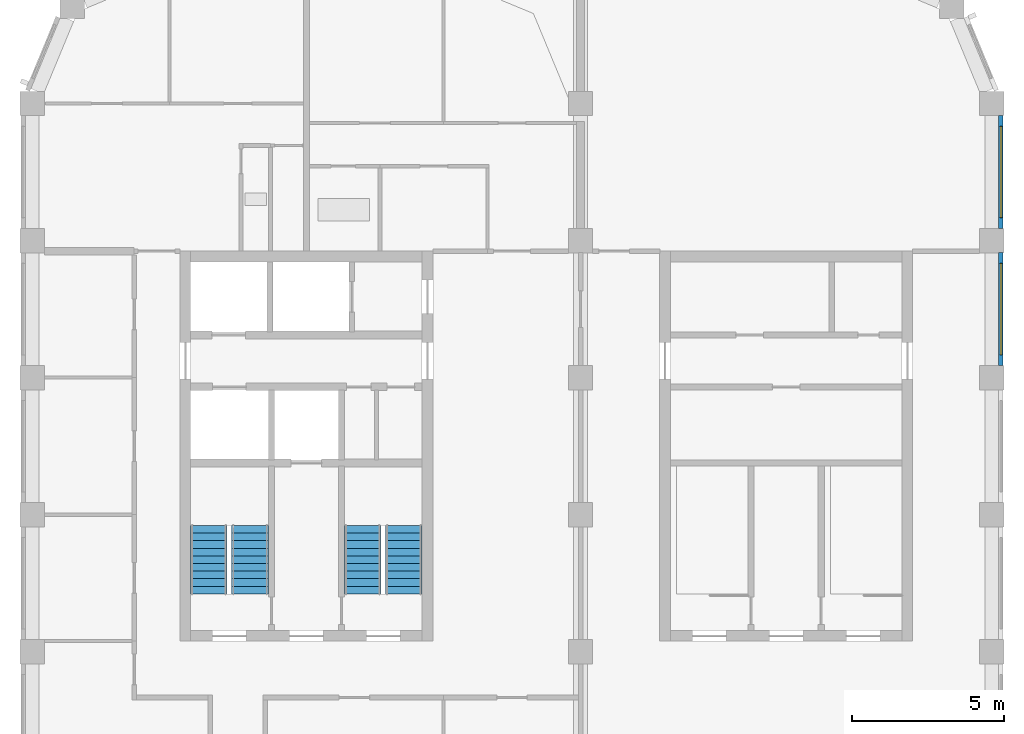
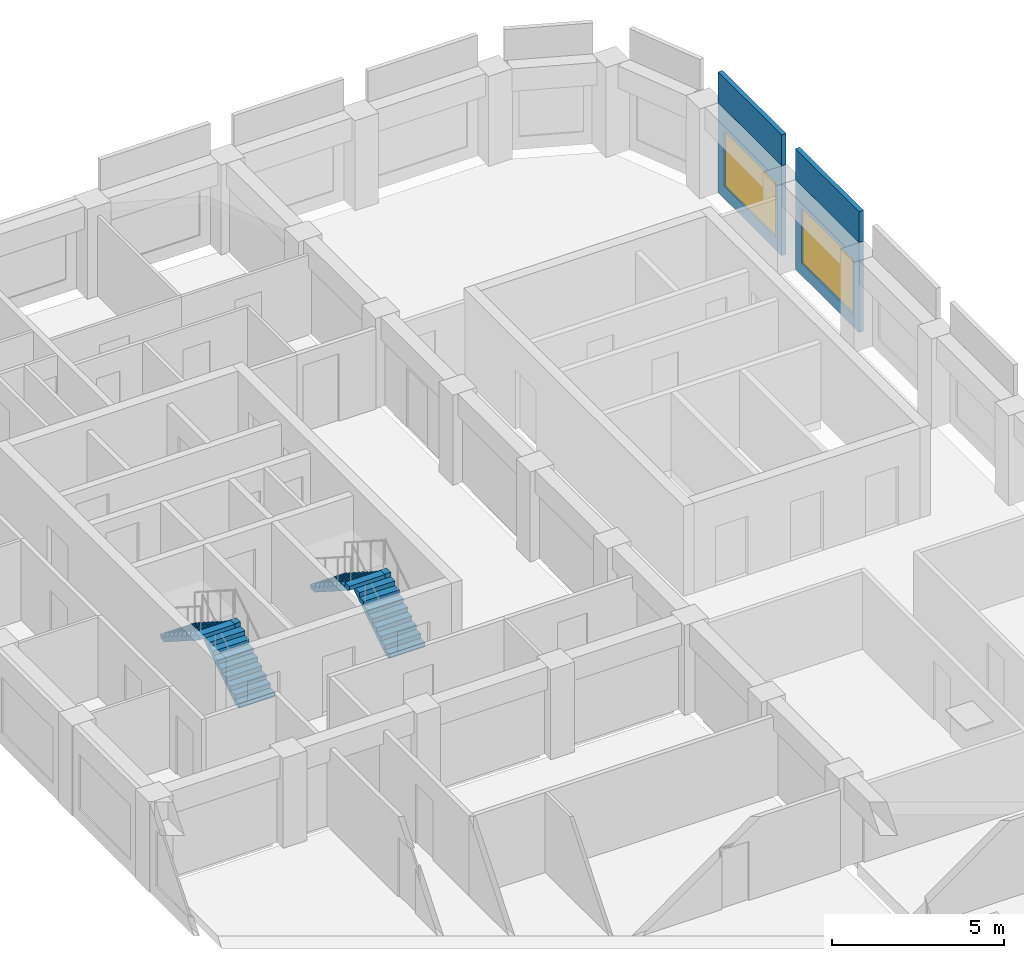
# One storey, part 8 of 10: 4 stair flights, 4 walls, 2 windows, 2 openings, 2 elements without a shape of their own.
"""IFC4 building model written with IfcOpenShell, lengths in metres."""

import ifcopenshell
import ifcopenshell.guid

model = None  # the IFC model being written
_history = None  # IfcOwnerHistory: only IFC2X3 demands one
_inside = {}  # id of a spatial element -> (the spatial element, [elements in it])
_under = {}  # id of a project, library or spatial element -> (it, [spatial elements below it])
_declared = {}  # id of a project -> (the project, [libraries it declares])
_typed = {}  # id of a type object -> (the type object, [elements of that type])
_made_of = {}  # id of a material, layer set ... -> (it, [elements and type objects made of it])


def new_model(schema):
    """Start an empty IFC model of exactly this schema.

    Asked for "IFC4X3", IfcOpenShell would pick the latest addendum, in which some entities
    have other attributes; the version numbers below select the first issue.
    IFC2X3 requires an IfcOwnerHistory on every rooted entity: one is made here for all.
    """
    global model, _history
    if schema == "IFC4X3":
        model = ifcopenshell.file(schema_version=(4, 3, 0, 0))
    else:
        model = ifcopenshell.file(schema=schema)
    _inside.clear()
    _under.clear()
    _declared.clear()
    _typed.clear()
    _made_of.clear()
    _history = None
    if model.schema == "IFC2X3":
        org = make("IfcOrganization", Name="unknown")
        user = make(
            "IfcPersonAndOrganization",
            ThePerson=make("IfcPerson", FamilyName="unknown"),
            TheOrganization=org,
        )
        app = make(
            "IfcApplication",
            ApplicationDeveloper=org,
            Version="unknown",
            ApplicationFullName="unknown",
            ApplicationIdentifier="unknown",
        )
        _history = make(
            "IfcOwnerHistory",
            OwningUser=user,
            OwningApplication=app,
            ChangeAction="ADDED",
            CreationDate=0,
        )
    return model


def make(cls, **values):
    """One entity of the class cls with the attributes given. An attribute that is None is left unset."""
    return model.create_entity(
        cls, **{name: value for name, value in values.items() if value is not None}
    )


def rooted(cls, **values):
    """An entity with a GlobalId (a new one), such as an element, a storey or a relation."""
    return make(cls, GlobalId=ifcopenshell.guid.new(), OwnerHistory=_history, **values)


def si_unit(unit_type, name, prefix=None):
    """IfcSIUnit, for example si_unit("LENGTHUNIT", "METRE", prefix="MILLI")."""
    return make("IfcSIUnit", UnitType=unit_type, Prefix=prefix, Name=name)


def assignment(units):
    """IfcUnitAssignment: the units of a project."""
    return None if units is None else make("IfcUnitAssignment", Units=units)


def point(xyz):
    """IfcCartesianPoint."""
    return None if xyz is None else make("IfcCartesianPoint", Coordinates=xyz)


def direction(xyz):
    """IfcDirection."""
    return None if xyz is None else make("IfcDirection", DirectionRatios=xyz)


def frame(location, z_axis=None, x_axis=None):
    """IfcAxis2Placement3D, a coordinate frame: its origin and axes. An axis left out is left unset."""
    return make(
        "IfcAxis2Placement3D",
        Location=point(location),
        Axis=direction(z_axis),
        RefDirection=direction(x_axis),
    )


def frame_2d(location, x_axis=None):
    """IfcAxis2Placement2D, a coordinate frame in the plane: its origin and x axis."""
    return make(
        "IfcAxis2Placement2D", Location=point(location), RefDirection=direction(x_axis)
    )


def origin():
    """The frame at (0, 0, 0) with its axes left unset."""
    return frame((0.0, 0.0, 0.0))


def place(relative_to, where):
    """IfcLocalPlacement: puts the frame where relative to a parent placement (None: the world)."""
    return make(
        "IfcLocalPlacement", PlacementRelTo=relative_to, RelativePlacement=where
    )


def context(
    kind, dimensions, precision=None, world=None, true_north=None, identifier=None
):
    """IfcGeometricRepresentationContext, for example the 3D "Model" context."""
    return make(
        "IfcGeometricRepresentationContext",
        ContextIdentifier=identifier,
        ContextType=kind,
        CoordinateSpaceDimension=dimensions,
        Precision=precision,
        WorldCoordinateSystem=world,
        TrueNorth=true_north,
    )


def subcontext(parent, identifier, kind, view, scale=None):
    """IfcGeometricRepresentationSubContext, for example "Body" below "Model"."""
    return make(
        "IfcGeometricRepresentationSubContext",
        ContextIdentifier=identifier,
        ContextType=kind,
        ParentContext=parent,
        TargetScale=scale,
        TargetView=view,
    )


def project(units=None, contexts=None):
    """IfcProject with its units and contexts."""
    return rooted(
        "IfcProject",
        Name="project",
        RepresentationContexts=contexts,
        UnitsInContext=assignment(units),
    )


def spatial(cls, under=None, at=None, **own):
    """A site, building, storey or space (cls), placed at a placement, below another one or the project."""
    s = rooted(cls, ObjectPlacement=at, **own)
    if under is not None:
        _under.setdefault(under.id(), (under, []))[1].append(s)
    return s


def polyline(points):
    """IfcPolyline through the points."""
    return make("IfcPolyline", Points=[point(p) for p in points])


def profile(cls, at=None, kind="AREA", **sizes):
    """A parametric profile (cls). Its sizes go by their IFC names, for example OverallWidth=200.0."""
    return make(cls, ProfileType=kind, Position=at, **sizes)


def rectangle(**sizes):
    """IfcRectangleProfileDef."""
    return profile("IfcRectangleProfileDef", **sizes)


def outline(outer, holes=None, kind="AREA"):
    """IfcArbitraryClosedProfileDef: a profile drawn as a closed curve; with holes, ...WithVoids."""
    if holes is None:
        return make("IfcArbitraryClosedProfileDef", ProfileType=kind, OuterCurve=outer)
    return make(
        "IfcArbitraryProfileDefWithVoids",
        ProfileType=kind,
        OuterCurve=outer,
        InnerCurves=holes,
    )


def extrude(swept, where, along, depth):
    """IfcExtrudedAreaSolid: the profile swept, set in the frame where, extruded along a direction by depth."""
    return make(
        "IfcExtrudedAreaSolid",
        SweptArea=swept,
        Position=where,
        ExtrudedDirection=direction(along),
        Depth=depth,
    )


def shape(context_of_items, identifier, shape_type, items):
    """IfcShapeRepresentation: the items that make up one representation, for example the "Body"."""
    return make(
        "IfcShapeRepresentation",
        ContextOfItems=context_of_items,
        RepresentationIdentifier=identifier,
        RepresentationType=shape_type,
        Items=items,
    )


def material(Name=None, Category=None):
    """IfcMaterial."""
    return make("IfcMaterial", Name=Name, Category=Category)


def layer(
    of_material, thickness, ventilated=None, Name=None, Category=None, Priority=None
):
    """IfcMaterialLayer: one layer of a wall or slab, of a material (None: an air gap)."""
    return make(
        "IfcMaterialLayer",
        Material=of_material,
        LayerThickness=thickness,
        IsVentilated=ventilated,
        Name=Name,
        Category=Category,
        Priority=Priority,
    )


def layer_set(layers, Name=None):
    """IfcMaterialLayerSet."""
    return make("IfcMaterialLayerSet", MaterialLayers=layers, LayerSetName=Name)


def made_of(thing, what):
    """Note that an element or type object is made of a material, layer set ...; save() writes the relation."""
    if what is not None:
        _made_of.setdefault(what.id(), (what, []))[1].append(thing)
    return thing


def type_object(cls, material=None, **own):
    """A type object (cls), such as IfcWallType, which elements share."""
    return made_of(rooted(cls, **own), material)


def element(
    cls,
    number,
    at=None,
    inside=None,
    cuts=None,
    type_object=None,
    material=None,
    context=None,
    identifier="Body",
    shape_type=None,
    held_by="IfcProductDefinitionShape",
    body=None,
    shapes=None,
    **own,
):
    """One element of the class cls, such as IfcWall. Its Tag is "e" and its number.

    at: its placement. inside: the storey or other place that contains it. cuts: it is an
    opening in that element (IfcRelVoidsElement). A single representation is given by context,
    identifier, shape_type and body (its items); several are given by shapes. held_by: the class
    of the entity that holds the representations. save() writes the other relations.
    """
    e = rooted(cls, Tag="e%d" % number, ObjectPlacement=at, **own)
    if body is not None:
        shapes = [shape(context, identifier, shape_type, body)]
    if shapes is not None:
        e.Representation = make(held_by, Representations=shapes)
    if inside is not None:
        _inside.setdefault(inside.id(), (inside, []))[1].append(e)
    if cuts is not None:
        rooted(
            "IfcRelVoidsElement", RelatingBuildingElement=cuts, RelatedOpeningElement=e
        )
    if type_object is not None:
        _typed.setdefault(type_object.id(), (type_object, []))[1].append(e)
    return made_of(e, material)


def fill(opening, filler):
    """IfcRelFillsElement: the door or window that sits in an opening."""
    return rooted(
        "IfcRelFillsElement",
        RelatingOpeningElement=opening,
        RelatedBuildingElement=filler,
    )


def aggregate(whole, parts):
    """IfcRelAggregates: a whole, such as a stair, and the parts it consists of."""
    return rooted("IfcRelAggregates", RelatingObject=whole, RelatedObjects=parts)


def save(model, path):
    """Write the relations noted so far, then the file.

    IfcRelAggregates (storeys below a building ...), IfcRelContainedInSpatialStructure (elements
    in a storey), IfcRelDefinesByType, IfcRelAssociatesMaterial and IfcRelDeclares: one each for
    every whole, place, type object, material and project.
    """
    for whole, parts in _under.values():
        aggregate(whole, parts)
    for where, things in _inside.values():
        rooted(
            "IfcRelContainedInSpatialStructure",
            RelatedElements=things,
            RelatingStructure=where,
        )
    for kind, things in _typed.values():
        rooted("IfcRelDefinesByType", RelatedObjects=things, RelatingType=kind)
    for what, things in _made_of.values():
        rooted("IfcRelAssociatesMaterial", RelatedObjects=things, RelatingMaterial=what)
    for by, libraries in _declared.values():
        rooted("IfcRelDeclares", RelatingContext=by, RelatedDefinitions=libraries)
    model.write(path)


model = new_model("IFC4")

# Units and contexts
model_context = context("Model", 3, precision=1e-05, world=origin(), true_north=direction((0.0, 1.0)))
body_context = subcontext(model_context, "Body", "Model", "MODEL_VIEW")
ifc_project = project(units=[si_unit("LENGTHUNIT", "METRE"), si_unit("AREAUNIT", "SQUARE_METRE"), si_unit("VOLUMEUNIT", "CUBIC_METRE"), si_unit("PLANEANGLEUNIT", "RADIAN"), si_unit("MASSUNIT", "GRAM", prefix="KILO")], contexts=[model_context])

# Site, building, storey
site_placement = place(None, origin())
site = spatial("IfcSite", under=ifc_project, at=site_placement, CompositionType="ELEMENT")
building_placement = place(site_placement, origin())
building = spatial("IfcBuilding", under=site, at=building_placement, Name="Girih Gate Residences", CompositionType="ELEMENT")
storey_placement = place(building_placement, frame((0.0, 0.0, 232.4951171875)))
storey = spatial("IfcBuildingStorey", under=building, at=storey_placement, Name="L65", CompositionType="ELEMENT", Elevation=232.4951171875)

# Wall, opening, window
ifc_material_1 = material(Name="Precast concrete C50/60", Category="concrete")
ifc_layer_1 = layer(ifc_material_1, 0.050048828125, Name="Outer leaf")
ifc_material_2 = material(Name="Rigid PIR insulation")
ifc_layer_2 = layer(ifc_material_2, 0.06005859375, Name="Insulation")
ifc_material_3 = material(Name="Precast concrete C40/50", Category="concrete")
ifc_layer_3 = layer(ifc_material_3, 0.0400390625, Name="Inner leaf")
ifc_layer_set_1 = layer_set([ifc_layer_1, ifc_layer_2, ifc_layer_3], Name="Precast concrete C50/60 external wall 150")
wall_type_1 = type_object("IfcWallType", Name="Precast concrete C50/60 external wall 150", PredefinedType="SOLIDWALL", material=ifc_layer_set_1)
wall_1_placement = place(storey_placement, frame((31.800048828125, 40.10009765625, 0.0), z_axis=(0.0, 0.0, 1.0), x_axis=(0.0, -1.0, 0.0)))
wall_1 = element("IfcWall", 1, at=wall_1_placement, inside=storey, type_object=wall_type_1, Name="External wall E0315_0045.7", PredefinedType="SOLIDWALL", context=body_context, shape_type="SweptSolid", body=[
    extrude(rectangle(XDim=3.7001953125, YDim=0.14990234375, at=frame_2d((1.85009765625, 0.0))), origin(), (0.0, 0.0, 1.0), 3.199951171875),
])
opening_1_placement = place(wall_1_placement, frame((0.35009765625, 0.0, 0.449951171875)))
opening_1 = element("IfcOpeningElement", 2, at=opening_1_placement, cuts=wall_1, Name="Opening W-1D", PredefinedType="OPENING", context=body_context, shape_type="SweptSolid", body=[
    extrude(rectangle(XDim=3.0, YDim=1.949951171875, at=frame_2d((1.5, 0.97509765625))), frame((0.0, 0.0849609375, 0.0), z_axis=(0.0, -1.0, 0.0), x_axis=(1.0, 0.0, 0.0)), (0.0, 0.0, 1.0), 0.169921875),
])
ifc_material_4 = material(Name="Double glazing in aluminium frame", Category="aluminium")
window_type = type_object("IfcWindowType", Name="Window W-1D 3000x1950", PartitioningType="SINGLE_PANEL", PredefinedType="WINDOW", material=ifc_material_4)
window_1_placement = place(opening_1_placement, origin())
window_1 = element("IfcWindow", 3, at=window_1_placement, inside=storey, type_object=window_type, Name="Window W-1D E0315_0045.7", OverallHeight=1.949951171875, OverallWidth=3.0, PartitioningType="SINGLE_PANEL", PredefinedType="WINDOW", context=body_context, shape_type="SweptSolid", body=[
    extrude(rectangle(XDim=3.0, YDim=1.949951171875, at=frame_2d((1.5, 0.97509765625))), frame((0.0, 0.030029296875, 0.0), z_axis=(0.0, -1.0, 0.0), x_axis=(1.0, 0.0, 0.0)), (0.0, 0.0, 1.0), 0.06005859375),
])
fill(opening_1, window_1)

wall_2_placement = place(storey_placement, frame((31.800048828125, 44.60009765625, 0.0), z_axis=(0.0, 0.0, 1.0), x_axis=(0.0, -1.0, 0.0)))
wall_2 = element("IfcWall", 4, at=wall_2_placement, inside=storey, type_object=wall_type_1, Name="External wall E0315_0045.8", PredefinedType="SOLIDWALL", context=body_context, shape_type="SweptSolid", body=[
    extrude(rectangle(XDim=3.7001953125, YDim=0.14990234375, at=frame_2d((1.85009765625, 0.0))), origin(), (0.0, 0.0, 1.0), 3.199951171875),
])
opening_2_placement = place(wall_2_placement, frame((0.35009765625, 0.0, 0.449951171875)))
opening_2 = element("IfcOpeningElement", 5, at=opening_2_placement, cuts=wall_2, Name="Opening W-1D", PredefinedType="OPENING", context=body_context, shape_type="SweptSolid", body=[
    extrude(rectangle(XDim=3.0, YDim=1.949951171875, at=frame_2d((1.5, 0.97509765625))), frame((0.0, 0.0849609375, 0.0), z_axis=(0.0, -1.0, 0.0), x_axis=(1.0, 0.0, 0.0)), (0.0, 0.0, 1.0), 0.169921875),
])
window_2_placement = place(opening_2_placement, origin())
window_2 = element("IfcWindow", 6, at=window_2_placement, inside=storey, type_object=window_type, Name="Window W-1D E0315_0045.8", OverallHeight=1.949951171875, OverallWidth=3.0, PartitioningType="SINGLE_PANEL", PredefinedType="WINDOW", context=body_context, shape_type="SweptSolid", body=[
    extrude(rectangle(XDim=3.0, YDim=1.949951171875, at=frame_2d((1.5, 0.97509765625))), frame((0.0, 0.030029296875, 0.0), z_axis=(0.0, -1.0, 0.0), x_axis=(1.0, 0.0, 0.0)), (0.0, 0.0, 1.0), 0.06005859375),
])
fill(opening_2, window_2)

# Walls
ifc_layer_4 = layer(ifc_material_1, 0.14990234375)
ifc_layer_set_2 = layer_set([ifc_layer_4], Name="Roof parapet 150")
wall_type_2 = type_object("IfcWallType", Name="Roof parapet 150", PredefinedType="PARAPET", material=ifc_layer_set_2)
for number, where, z_axis, x_axis, name in (
    (7, (31.800048828125, 40.10009765625, 3.199951171875), (0.0, 0.0, 1.0), (0.0, -1.0, 0.0), "Roof parapet E0315_0045.7"),
    (8, (31.800048828125, 44.60009765625, 3.199951171875), (0.0, 0.0, 1.0), (0.0, -1.0, 0.0), "Roof parapet E0315_0045.8"),
):
    element("IfcWall", number, at=place(storey_placement, frame(where, z_axis=z_axis, x_axis=x_axis)), inside=storey, type_object=wall_type_2, Name=name, PredefinedType="PARAPET", context=body_context, shape_type="SweptSolid", body=[
        extrude(rectangle(XDim=3.7001953125, YDim=0.14990234375, at=frame_2d((1.85009765625, 0.0))), origin(), (0.0, 0.0, 1.0), 1.099853515625),
    ])

# Stair, stair flights
ifc_material_5 = material(Name="Concrete C40/50", Category="concrete")
stair_type = type_object("IfcStairType", Name="Exit stair", PredefinedType="HALF_TURN_STAIR", material=ifc_material_5)
stair_1_placement = place(storey_placement, origin())
stair_1 = element("IfcStair", 9, at=stair_1_placement, inside=storey, type_object=stair_type, Name="L65 Exit Stair ST-W1", PredefinedType="HALF_TURN_STAIR")
stair_flight_type = type_object("IfcStairFlightType", Name="Stair flight 1200", PredefinedType="STRAIGHT", material=ifc_material_5)
stair_flight_1_placement = place(storey_placement, frame((7.14990234375, 28.89990234375, 0.0), z_axis=(0.0, 0.0, 1.0), x_axis=(0.0, 1.0, 0.0)))
stair_flight_1 = element("IfcStairFlight", 10, at=stair_flight_1_placement, type_object=stair_flight_type, Name="ST-W1 flight 1", NumberOfRisers=10, NumberOfTreads=9, PredefinedType="STRAIGHT", RiserHeight=0.16, TreadLength=0.25, context=body_context, shape_type="SweptSolid", body=[
    extrude(outline(polyline([(0.0, 0.0), (0.0, 0.159912109375), (0.25, 0.159912109375), (0.25, 0.320068359375), (0.5, 0.320068359375), (0.5, 0.47998046875), (0.75, 0.47998046875), (0.75, 0.639892578125), (1.0, 0.639892578125), (1.0, 0.800048828125), (1.25, 0.800048828125), (1.25, 0.9599609375), (1.5, 0.9599609375), (1.5, 1.1201171875), (1.75, 1.1201171875), (1.75, 1.280029296875), (2.0, 1.280029296875), (2.0, 1.43994140625), (2.25, 1.43994140625), (2.25, 1.60009765625), (2.25, 1.29736328125), (0.222900390625, 0.0), (0.0, 0.0)])), frame((0.0, 0.60009765625, 0.0), z_axis=(0.0, -1.0, 0.0), x_axis=(1.0, 0.0, 0.0)), (0.0, 0.0, 1.0), 1.199951171875),
])
stair_flight_2_placement = place(storey_placement, frame((5.800048828125, 31.14990234375, 1.599853515625), z_axis=(0.0, 0.0, 1.0), x_axis=(0.0, -1.0, 0.0)))
stair_flight_2 = element("IfcStairFlight", 11, at=stair_flight_2_placement, type_object=stair_flight_type, Name="ST-W1 flight 2", NumberOfRisers=10, NumberOfTreads=9, PredefinedType="STRAIGHT", RiserHeight=0.16, TreadLength=0.25, context=body_context, shape_type="SweptSolid", body=[
    extrude(outline(polyline([(0.0, 0.0), (0.0, 0.159912109375), (0.25, 0.159912109375), (0.25, 0.320068359375), (0.5, 0.320068359375), (0.5, 0.47998046875), (0.75, 0.47998046875), (0.75, 0.639892578125), (1.0, 0.639892578125), (1.0, 0.800048828125), (1.25, 0.800048828125), (1.25, 0.9599609375), (1.5, 0.9599609375), (1.5, 1.1201171875), (1.75, 1.1201171875), (1.75, 1.280029296875), (2.0, 1.280029296875), (2.0, 1.43994140625), (2.25, 1.43994140625), (2.25, 1.60009765625), (2.25, 1.29736328125), (0.222900390625, 0.0), (0.0, 0.0)])), frame((0.0, 0.60009765625, 0.0), z_axis=(0.0, -1.0, 0.0), x_axis=(1.0, 0.0, 0.0)), (0.0, 0.0, 1.0), 1.199951171875),
])
aggregate(stair_1, [stair_flight_1, stair_flight_2])

stair_2_placement = place(storey_placement, origin())
stair_2 = element("IfcStair", 12, at=stair_2_placement, inside=storey, type_object=stair_type, Name="L65 Exit Stair ST-W2", PredefinedType="HALF_TURN_STAIR")
stair_flight_3_placement = place(storey_placement, frame((12.199951171875, 28.89990234375, 0.0), z_axis=(0.0, 0.0, 1.0), x_axis=(0.0, 1.0, 0.0)))
stair_flight_3 = element("IfcStairFlight", 13, at=stair_flight_3_placement, type_object=stair_flight_type, Name="ST-W2 flight 1", NumberOfRisers=10, NumberOfTreads=9, PredefinedType="STRAIGHT", RiserHeight=0.16, TreadLength=0.25, context=body_context, shape_type="SweptSolid", body=[
    extrude(outline(polyline([(0.0, 0.0), (0.0, 0.159912109375), (0.25, 0.159912109375), (0.25, 0.320068359375), (0.5, 0.320068359375), (0.5, 0.47998046875), (0.75, 0.47998046875), (0.75, 0.639892578125), (1.0, 0.639892578125), (1.0, 0.800048828125), (1.25, 0.800048828125), (1.25, 0.9599609375), (1.5, 0.9599609375), (1.5, 1.1201171875), (1.75, 1.1201171875), (1.75, 1.280029296875), (2.0, 1.280029296875), (2.0, 1.43994140625), (2.25, 1.43994140625), (2.25, 1.60009765625), (2.25, 1.29736328125), (0.222900390625, 0.0), (0.0, 0.0)])), frame((0.0, 0.60009765625, 0.0), z_axis=(0.0, -1.0, 0.0), x_axis=(1.0, 0.0, 0.0)), (0.0, 0.0, 1.0), 1.199951171875),
])
stair_flight_4_placement = place(storey_placement, frame((10.85009765625, 31.14990234375, 1.599853515625), z_axis=(0.0, 0.0, 1.0), x_axis=(0.0, -1.0, 0.0)))
stair_flight_4 = element("IfcStairFlight", 14, at=stair_flight_4_placement, type_object=stair_flight_type, Name="ST-W2 flight 2", NumberOfRisers=10, NumberOfTreads=9, PredefinedType="STRAIGHT", RiserHeight=0.16, TreadLength=0.25, context=body_context, shape_type="SweptSolid", body=[
    extrude(outline(polyline([(0.0, 0.0), (0.0, 0.159912109375), (0.25, 0.159912109375), (0.25, 0.320068359375), (0.5, 0.320068359375), (0.5, 0.47998046875), (0.75, 0.47998046875), (0.75, 0.639892578125), (1.0, 0.639892578125), (1.0, 0.800048828125), (1.25, 0.800048828125), (1.25, 0.9599609375), (1.5, 0.9599609375), (1.5, 1.1201171875), (1.75, 1.1201171875), (1.75, 1.280029296875), (2.0, 1.280029296875), (2.0, 1.43994140625), (2.25, 1.43994140625), (2.25, 1.60009765625), (2.25, 1.29736328125), (0.222900390625, 0.0), (0.0, 0.0)])), frame((0.0, 0.60009765625, 0.0), z_axis=(0.0, -1.0, 0.0), x_axis=(1.0, 0.0, 0.0)), (0.0, 0.0, 1.0), 1.199951171875),
])
aggregate(stair_2, [stair_flight_3, stair_flight_4])

save(model, "model.ifc")
